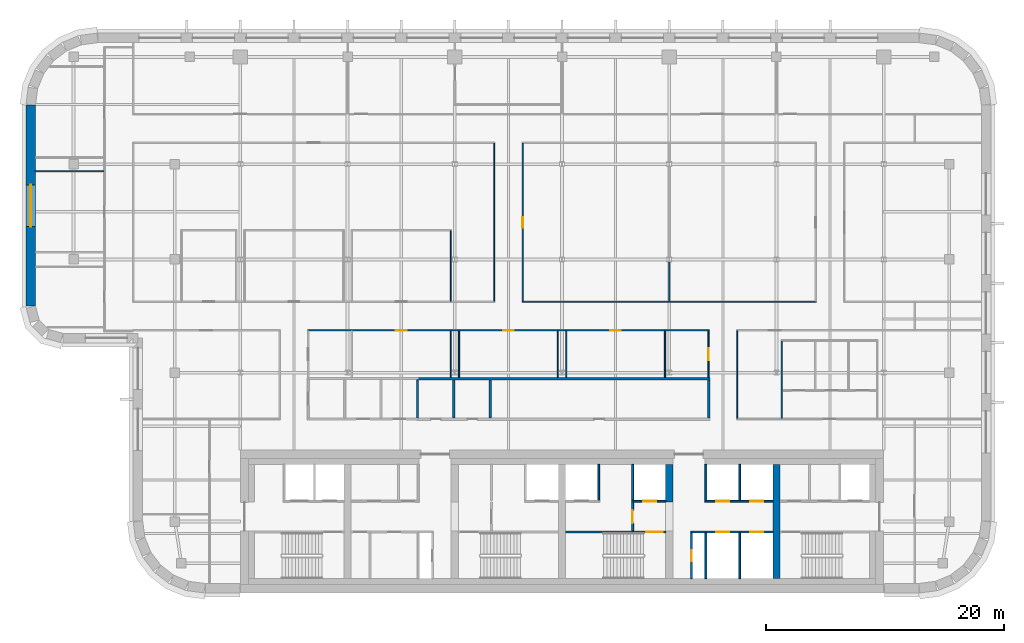
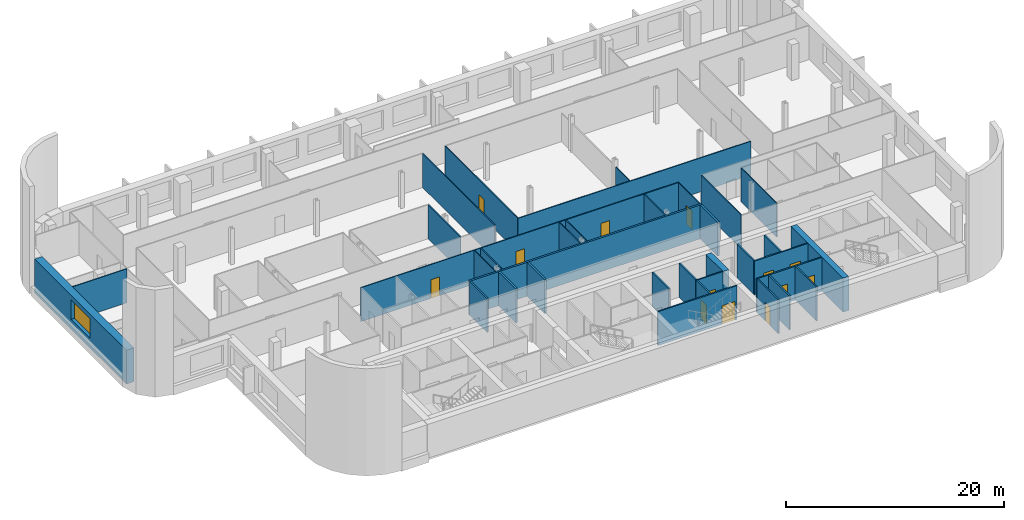
# One storey, part 9 of 17: 35 walls, 13 doors, 1 window, 14 openings.
"""IFC4 building model written with IfcOpenShell, lengths in metres."""

from ifc_helpers import new_model, si_unit, direction, frame, frame_2d, origin, place, context, subcontext, project, spatial, rectangle, extrude, material, layer, layer_set, type_object, element, fill, save


model = new_model("IFC4")

# Units and contexts
model_context = context("Model", 3, precision=1e-05, world=origin(), true_north=direction((0.0, 1.0)))
body_context = subcontext(model_context, "Body", "Model", "MODEL_VIEW")
ifc_project = project(units=[si_unit("LENGTHUNIT", "METRE"), si_unit("AREAUNIT", "SQUARE_METRE"), si_unit("VOLUMEUNIT", "CUBIC_METRE"), si_unit("PLANEANGLEUNIT", "RADIAN"), si_unit("MASSUNIT", "GRAM", prefix="KILO")], contexts=[model_context])

# Site, building, storey
site_placement = place(None, origin())
site = spatial("IfcSite", under=ifc_project, at=site_placement, CompositionType="ELEMENT")
building_placement = place(site_placement, origin())
building = spatial("IfcBuilding", under=site, at=building_placement, Name="Zellij Exchange Tower", CompositionType="ELEMENT")
storey_placement = place(building_placement, frame((0.0, 0.0, 232.5)))
storey = spatial("IfcBuildingStorey", under=building, at=storey_placement, Name="L54", CompositionType="ELEMENT", Elevation=232.5)

# Walls
ifc_material_1 = material(Name="Concrete C50/60", Category="concrete")
ifc_layer_1 = layer(ifc_material_1, 0.60009765625)
ifc_layer_set_1 = layer_set([ifc_layer_1], Name="Concrete C50/60")
wall_type_1 = type_object("IfcWallType", Name="CORE-CW 600 C50/60", PredefinedType="SHEAR", material=ifc_layer_set_1)
wall_1_placement = place(storey_placement, frame((9.0, -6.375, 0.0), z_axis=(0.0, 0.0, 1.0), x_axis=(0.0, 1.0, 0.0)))
element("IfcWall", 1, at=wall_1_placement, inside=storey, type_object=wall_type_1, Name="Core cross wall pier x 9 b L54", PredefinedType="SHEAR", context=body_context, shape_type="SweptSolid", body=[
    extrude(rectangle(XDim=3.175048828125, YDim=0.60009765625, at=frame_2d((1.58740234375, 0.0))), origin(), (0.0, 0.0, 1.0), 3.800048828125),
])
wall_2_placement = place(storey_placement, frame((18.0, -12.800048828125, 0.0), z_axis=(0.0, 0.0, 1.0), x_axis=(0.0, 1.0, 0.0)))
element("IfcWall", 2, at=wall_2_placement, inside=storey, type_object=wall_type_1, Name="Core cross wall x 18 L54", PredefinedType="SHEAR", context=body_context, shape_type="SweptSolid", body=[
    extrude(rectangle(XDim=9.60009765625, YDim=0.60009765625, at=frame_2d((4.800048828125, 0.0))), origin(), (0.0, 0.0, 1.0), 3.800048828125),
])

# Wall, opening, door
ifc_material_2 = material(Name="Gypsum shaft wall system")
ifc_layer_2 = layer(ifc_material_2, 0.14990234375)
ifc_layer_set_2 = layer_set([ifc_layer_2], Name="Gypsum shaft wall system")
wall_type_2 = type_object("IfcWallType", Name="CORE-PW 150 Firefighting lobby wall", PredefinedType="PARTITIONING", material=ifc_layer_set_2)
wall_3_placement = place(storey_placement, frame((5.925048828125, -8.800048828125, 0.0), z_axis=(0.0, 0.0, 1.0), x_axis=(0.0, 1.0, 0.0)))
wall_3 = element("IfcWall", 3, at=wall_3_placement, inside=storey, type_object=wall_type_2, Name="Firefighting lobby wall L54", PredefinedType="PARTITIONING", context=body_context, shape_type="SweptSolid", body=[
    extrude(rectangle(XDim=2.425048828125, YDim=0.14990234375, at=frame_2d((1.21240234375, 0.0))), origin(), (0.0, 0.0, 1.0), 3.800048828125),
])
opening_1_placement = place(wall_3_placement, frame((0.662109375, 0.0, 0.0)))
opening_1 = element("IfcOpeningElement", 4, at=opening_1_placement, cuts=wall_3, Name="Opening CA-29.15", PredefinedType="OPENING", context=body_context, shape_type="SweptSolid", body=[
    extrude(rectangle(XDim=1.10009765625, YDim=2.10009765625, at=frame_2d((0.550048828125, 1.050048828125))), frame((0.0, 0.0869140625, 0.0), z_axis=(0.0, -1.0, 0.0), x_axis=(1.0, 0.0, 0.0)), (0.0, 0.0, 1.0), 0.173828125),
])
ifc_material_3 = material(Name="Hollow metal fire door")
door_type_1 = type_object("IfcDoorType", Name="CORE-D F Firefighting lobby door 1100x2100 1 HR", OperationType="NOTDEFINED", PredefinedType="DOOR", material=ifc_material_3)
door_1_placement = place(opening_1_placement, origin())
door_1 = element("IfcDoor", 5, at=door_1_placement, inside=storey, type_object=door_type_1, Name="Firefighting lobby door CA-29.15", OperationType="SINGLE_SWING_RIGHT", OverallHeight=2.10009765625, OverallWidth=1.10009765625, PredefinedType="DOOR", context=body_context, shape_type="SweptSolid", body=[
    extrude(rectangle(XDim=1.10009765625, YDim=2.10009765625, at=frame_2d((0.550048828125, 1.050048828125))), frame((0.0, 0.02490234375, 0.0), z_axis=(0.0, -1.0, 0.0), x_axis=(1.0, 0.0, 0.0)), (0.0, 0.0, 1.0), 0.050048828125),
])
fill(opening_1, door_1)

ifc_material_4 = material(Name="Gypsum board partition")
ifc_layer_3 = layer(ifc_material_4, 0.14990234375)
ifc_layer_set_3 = layer_set([ifc_layer_3], Name="Gypsum board partition")
wall_type_3 = type_object("IfcWallType", Name="CORE-PW 150 Lift lobby wall", PredefinedType="PARTITIONING", material=ifc_layer_set_3)
wall_4_placement = place(storey_placement, frame((10.875, -12.800048828125, 0.0), z_axis=(0.0, 0.0, 1.0), x_axis=(0.0, 1.0, 0.0)))
wall_4 = element("IfcWall", 6, at=wall_4_placement, inside=storey, type_object=wall_type_3, Name="Lift lobby wall L54", PredefinedType="PARTITIONING", context=body_context, shape_type="SweptSolid", body=[
    extrude(rectangle(XDim=3.85009765625, YDim=0.14990234375, at=frame_2d((1.925048828125, 0.0))), origin(), (0.0, 0.0, 1.0), 3.800048828125),
])
opening_2_placement = place(wall_4_placement, frame((1.47509765625, 0.0, 0.0)))
opening_2 = element("IfcOpeningElement", 7, at=opening_2_placement, cuts=wall_4, Name="Opening CA-29.19", PredefinedType="OPENING", context=body_context, shape_type="SweptSolid", body=[
    extrude(rectangle(XDim=0.89990234375, YDim=2.10009765625, at=frame_2d((0.449951171875, 1.050048828125))), frame((0.0, 0.0869140625, 0.0), z_axis=(0.0, -1.0, 0.0), x_axis=(1.0, 0.0, 0.0)), (0.0, 0.0, 1.0), 0.173828125),
])
door_type_2 = type_object("IfcDoorType", Name="CORE-D RD Riser door 900x2100 1.5 HR", OperationType="NOTDEFINED", PredefinedType="DOOR", material=ifc_material_3)
door_2_placement = place(opening_2_placement, origin())
door_2 = element("IfcDoor", 8, at=door_2_placement, inside=storey, type_object=door_type_2, Name="Riser door CA-29.19", OperationType="SINGLE_SWING_LEFT", OverallHeight=2.10009765625, OverallWidth=0.89990234375, PredefinedType="DOOR", context=body_context, shape_type="SweptSolid", body=[
    extrude(rectangle(XDim=0.89990234375, YDim=2.10009765625, at=frame_2d((0.449951171875, 1.050048828125))), frame((0.0, 0.02490234375, 0.0), z_axis=(0.0, -1.0, 0.0), x_axis=(1.0, 0.0, 0.0)), (0.0, 0.0, 1.0), 0.050048828125),
])
fill(opening_2, door_2)

# Walls
ifc_layer_4 = layer(ifc_material_2, 0.14990234375)
ifc_layer_set_4 = layer_set([ifc_layer_4], Name="Gypsum shaft wall system")
wall_type_4 = type_object("IfcWallType", Name="CORE-PW 150 Lift shaft wall", PredefinedType="PARTITIONING", material=ifc_layer_set_4)
for number, where, z_axis, x_axis, name in (
    (9, (3.074951171875, -6.22509765625, 0.0), (0.0, 0.0, 1.0), (0.0, 1.0, 0.0), "Lift shaft wall L54"),
    (10, (5.925048828125, -6.22509765625, 0.0), (0.0, 0.0, 1.0), (0.0, 1.0, 0.0), "Lift shaft wall L54"),
    (11, (12.074951171875, -6.22509765625, 0.0), (0.0, 0.0, 1.0), (0.0, 1.0, 0.0), "Lift shaft wall L54"),
    (12, (14.925048828125, -6.22509765625, 0.0), (0.0, 0.0, 1.0), (0.0, 1.0, 0.0), "Lift shaft wall L54"),
):
    element("IfcWall", number, at=place(storey_placement, frame(where, z_axis=z_axis, x_axis=x_axis)), inside=storey, type_object=wall_type_4, Name=name, PredefinedType="PARTITIONING", context=body_context, shape_type="SweptSolid", body=[
        extrude(rectangle(XDim=3.025146484375, YDim=0.14990234375, at=frame_2d((1.5126953125, 0.0))), origin(), (0.0, 0.0, 1.0), 3.800048828125),
    ])
for number, where, z_axis, x_axis, name in (
    (13, (12.074951171875, -12.800048828125, 0.0), (0.0, 0.0, 1.0), (0.0, 1.0, 0.0), "Lift shaft wall L54"),
    (14, (14.925048828125, -12.800048828125, 0.0), (0.0, 0.0, 1.0), (0.0, 1.0, 0.0), "Lift shaft wall L54"),
):
    element("IfcWall", number, at=place(storey_placement, frame(where, z_axis=z_axis, x_axis=x_axis)), inside=storey, type_object=wall_type_4, Name=name, PredefinedType="PARTITIONING", context=body_context, shape_type="SweptSolid", body=[
        extrude(rectangle(XDim=3.85009765625, YDim=0.14990234375, at=frame_2d((1.925048828125, 0.0))), origin(), (0.0, 0.0, 1.0), 3.800048828125),
    ])

# Wall, opening, door
wall_5_placement = place(storey_placement, frame((5.85009765625, -6.300048828125, 0.0), z_axis=(0.0, 0.0, 1.0), x_axis=(1.0, 0.0, 0.0)))
wall_5 = element("IfcWall", 15, at=wall_5_placement, inside=storey, type_object=wall_type_4, Name="Lift shaft wall L54", PredefinedType="PARTITIONING", context=body_context, shape_type="SweptSolid", body=[
    extrude(rectangle(XDim=2.849853515625, YDim=0.14990234375, at=frame_2d((1.4248046875, 0.0))), origin(), (0.0, 0.0, 1.0), 3.800048828125),
])
opening_3_placement = place(wall_5_placement, frame((0.949951171875, 0.0, 0.0)))
opening_3 = element("IfcOpeningElement", 16, at=opening_3_placement, cuts=wall_5, Name="Opening CA-29.16", PredefinedType="OPENING", context=body_context, shape_type="SweptSolid", body=[
    extrude(rectangle(XDim=1.10009765625, YDim=2.10009765625, at=frame_2d((0.550048828125, 1.050048828125))), frame((0.0, 0.0869140625, 0.0), z_axis=(0.0, -1.0, 0.0), x_axis=(1.0, 0.0, 0.0)), (0.0, 0.0, 1.0), 0.173828125),
])
door_type_3 = type_object("IfcDoorType", Name="CORE-D LD Lift landing door 1100x2100 1.5 HR", OperationType="NOTDEFINED", PredefinedType="DOOR", material=ifc_material_3)
door_3_placement = place(opening_3_placement, origin())
door_3 = element("IfcDoor", 17, at=door_3_placement, inside=storey, type_object=door_type_3, Name="Lift landing door CA-29.16", OperationType="SLIDING_TO_RIGHT", OverallHeight=2.10009765625, OverallWidth=1.10009765625, PredefinedType="DOOR", context=body_context, shape_type="SweptSolid", body=[
    extrude(rectangle(XDim=1.10009765625, YDim=2.10009765625, at=frame_2d((0.550048828125, 1.050048828125))), frame((0.0, 0.02490234375, 0.0), z_axis=(0.0, -1.0, 0.0), x_axis=(1.0, 0.0, 0.0)), (0.0, 0.0, 1.0), 0.050048828125),
])
fill(opening_3, door_3)

# Wall, openings, doors
wall_6_placement = place(storey_placement, frame((12.0, -6.300048828125, 0.0), z_axis=(0.0, 0.0, 1.0), x_axis=(1.0, 0.0, 0.0)))
wall_6 = element("IfcWall", 18, at=wall_6_placement, inside=storey, type_object=wall_type_4, Name="Lift shaft wall L54", PredefinedType="PARTITIONING", context=body_context, shape_type="SweptSolid", body=[
    extrude(rectangle(XDim=5.699951171875, YDim=0.14990234375, at=frame_2d((2.85009765625, 0.0))), origin(), (0.0, 0.0, 1.0), 3.800048828125),
])
opening_4_placement = place(wall_6_placement, frame((0.949951171875, 0.0, 0.0)))
opening_4 = element("IfcOpeningElement", 19, at=opening_4_placement, cuts=wall_6, Name="Opening CA-29.21", PredefinedType="OPENING", context=body_context, shape_type="SweptSolid", body=[
    extrude(rectangle(XDim=1.10009765625, YDim=2.10009765625, at=frame_2d((0.550048828125, 1.050048828125))), frame((0.0, 0.0869140625, 0.0), z_axis=(0.0, -1.0, 0.0), x_axis=(1.0, 0.0, 0.0)), (0.0, 0.0, 1.0), 0.173828125),
])
opening_5_placement = place(wall_6_placement, frame((3.800048828125, 0.0, 0.0)))
opening_5 = element("IfcOpeningElement", 20, at=opening_5_placement, cuts=wall_6, Name="Opening CA-29.23", PredefinedType="OPENING", context=body_context, shape_type="SweptSolid", body=[
    extrude(rectangle(XDim=1.10009765625, YDim=2.10009765625, at=frame_2d((0.550048828125, 1.050048828125))), frame((0.0, 0.0869140625, 0.0), z_axis=(0.0, -1.0, 0.0), x_axis=(1.0, 0.0, 0.0)), (0.0, 0.0, 1.0), 0.173828125),
])
door_4_placement = place(opening_4_placement, origin())
door_4 = element("IfcDoor", 21, at=door_4_placement, inside=storey, type_object=door_type_3, Name="Lift landing door CA-29.21", OperationType="SLIDING_TO_LEFT", OverallHeight=2.10009765625, OverallWidth=1.10009765625, PredefinedType="DOOR", context=body_context, shape_type="SweptSolid", body=[
    extrude(rectangle(XDim=1.10009765625, YDim=2.10009765625, at=frame_2d((0.550048828125, 1.050048828125))), frame((0.0, 0.02490234375, 0.0), z_axis=(0.0, -1.0, 0.0), x_axis=(1.0, 0.0, 0.0)), (0.0, 0.0, 1.0), 0.050048828125),
])
fill(opening_4, door_4)
door_5_placement = place(opening_5_placement, origin())
door_5 = element("IfcDoor", 22, at=door_5_placement, inside=storey, type_object=door_type_3, Name="Lift landing door CA-29.23", OperationType="SLIDING_TO_LEFT", OverallHeight=2.10009765625, OverallWidth=1.10009765625, PredefinedType="DOOR", context=body_context, shape_type="SweptSolid", body=[
    extrude(rectangle(XDim=1.10009765625, YDim=2.10009765625, at=frame_2d((0.550048828125, 1.050048828125))), frame((0.0, 0.02490234375, 0.0), z_axis=(0.0, -1.0, 0.0), x_axis=(1.0, 0.0, 0.0)), (0.0, 0.0, 1.0), 0.050048828125),
])
fill(opening_5, door_5)

wall_7_placement = place(storey_placement, frame((10.800048828125, -8.875, 0.0), z_axis=(0.0, 0.0, 1.0), x_axis=(1.0, 0.0, 0.0)))
wall_7 = element("IfcWall", 23, at=wall_7_placement, inside=storey, type_object=wall_type_4, Name="Lift shaft wall L54", PredefinedType="PARTITIONING", context=body_context, shape_type="SweptSolid", body=[
    extrude(rectangle(XDim=6.89990234375, YDim=0.14990234375, at=frame_2d((3.449951171875, 0.0))), origin(), (0.0, 0.0, 1.0), 3.800048828125),
])
opening_6_placement = place(wall_7_placement, frame((2.14990234375, 0.0, 0.0)))
opening_6 = element("IfcOpeningElement", 24, at=opening_6_placement, cuts=wall_7, Name="Opening CA-29.20", PredefinedType="OPENING", context=body_context, shape_type="SweptSolid", body=[
    extrude(rectangle(XDim=1.10009765625, YDim=2.10009765625, at=frame_2d((0.550048828125, 1.050048828125))), frame((0.0, 0.0869140625, 0.0), z_axis=(0.0, -1.0, 0.0), x_axis=(1.0, 0.0, 0.0)), (0.0, 0.0, 1.0), 0.173828125),
])
opening_7_placement = place(wall_7_placement, frame((5.0, 0.0, 0.0)))
opening_7 = element("IfcOpeningElement", 25, at=opening_7_placement, cuts=wall_7, Name="Opening CA-29.22", PredefinedType="OPENING", context=body_context, shape_type="SweptSolid", body=[
    extrude(rectangle(XDim=1.10009765625, YDim=2.10009765625, at=frame_2d((0.550048828125, 1.050048828125))), frame((0.0, 0.0869140625, 0.0), z_axis=(0.0, -1.0, 0.0), x_axis=(1.0, 0.0, 0.0)), (0.0, 0.0, 1.0), 0.173828125),
])
door_6_placement = place(opening_6_placement, origin())
door_6 = element("IfcDoor", 26, at=door_6_placement, inside=storey, type_object=door_type_3, Name="Lift landing door CA-29.20", OperationType="SLIDING_TO_RIGHT", OverallHeight=2.10009765625, OverallWidth=1.10009765625, PredefinedType="DOOR", context=body_context, shape_type="SweptSolid", body=[
    extrude(rectangle(XDim=1.10009765625, YDim=2.10009765625, at=frame_2d((0.550048828125, 1.050048828125))), frame((0.0, 0.02490234375, 0.0), z_axis=(0.0, -1.0, 0.0), x_axis=(1.0, 0.0, 0.0)), (0.0, 0.0, 1.0), 0.050048828125),
])
fill(opening_6, door_6)
door_7_placement = place(opening_7_placement, origin())
door_7 = element("IfcDoor", 27, at=door_7_placement, inside=storey, type_object=door_type_3, Name="Lift landing door CA-29.22", OperationType="SLIDING_TO_RIGHT", OverallHeight=2.10009765625, OverallWidth=1.10009765625, PredefinedType="DOOR", context=body_context, shape_type="SweptSolid", body=[
    extrude(rectangle(XDim=1.10009765625, YDim=2.10009765625, at=frame_2d((0.550048828125, 1.050048828125))), frame((0.0, 0.02490234375, 0.0), z_axis=(0.0, -1.0, 0.0), x_axis=(1.0, 0.0, 0.0)), (0.0, 0.0, 1.0), 0.050048828125),
])
fill(opening_7, door_7)

# Wall, opening, door
ifc_layer_5 = layer(ifc_material_1, 0.14990234375)
ifc_layer_set_5 = layer_set([ifc_layer_5], Name="Concrete C50/60")
wall_type_5 = type_object("IfcWallType", Name="CORE-SWS 150 C50/60", PredefinedType="SHEAR", material=ifc_layer_set_5)
wall_8_placement = place(storey_placement, frame((0.300048828125, -8.875, 0.0), z_axis=(0.0, 0.0, 1.0), x_axis=(1.0, 0.0, 0.0)))
wall_8 = element("IfcWall", 28, at=wall_8_placement, inside=storey, type_object=wall_type_5, Name="Stair enclosure wall L54", PredefinedType="SHEAR", context=body_context, shape_type="SweptSolid", body=[
    extrude(rectangle(XDim=8.39990234375, YDim=0.14990234375, at=frame_2d((4.199951171875, 0.0))), origin(), (0.0, 0.0, 1.0), 3.800048828125),
])
opening_8_placement = place(wall_8_placement, frame((6.77490234375, 0.0, 0.0)))
opening_8 = element("IfcOpeningElement", 29, at=opening_8_placement, cuts=wall_8, Name="Opening CA-29.17", PredefinedType="OPENING", context=body_context, shape_type="SweptSolid", body=[
    extrude(rectangle(XDim=1.39990234375, YDim=2.10009765625, at=frame_2d((0.699951171875, 1.050048828125))), frame((0.0, 0.0869140625, 0.0), z_axis=(0.0, -1.0, 0.0), x_axis=(1.0, 0.0, 0.0)), (0.0, 0.0, 1.0), 0.173828125),
])
door_type_4 = type_object("IfcDoorType", Name="CORE-D SD Stair door 1400x2100 1.5 HR", OperationType="NOTDEFINED", PredefinedType="DOOR", material=ifc_material_3)
door_8_placement = place(opening_8_placement, origin())
door_8 = element("IfcDoor", 30, at=door_8_placement, inside=storey, type_object=door_type_4, Name="Stair door CA-29.17", OperationType="DOUBLE_DOOR_SINGLE_SWING", OverallHeight=2.10009765625, OverallWidth=1.39990234375, PredefinedType="DOOR", context=body_context, shape_type="SweptSolid", body=[
    extrude(rectangle(XDim=1.39990234375, YDim=2.10009765625, at=frame_2d((0.699951171875, 1.050048828125))), frame((0.0, 0.02490234375, 0.0), z_axis=(0.0, -1.0, 0.0), x_axis=(1.0, 0.0, 0.0)), (0.0, 0.0, 1.0), 0.050048828125),
])
fill(opening_8, door_8)

# Wall, opening, window
ifc_material_5 = material(Name="Precast concrete C40/50", Category="concrete")
ifc_layer_6 = layer(ifc_material_5, 0.800048828125)
ifc_layer_set_6 = layer_set([ifc_layer_6], Name="Precast concrete C40/50")
wall_type_6 = type_object("IfcWallType", Name="ENV-EW1 Precast stone-piered wall 800", PredefinedType="SOLIDWALL", material=ifc_layer_set_6)
wall_9_placement = place(storey_placement, frame((-44.60009765625, 26.947509765625, 0.0), z_axis=(0.0, 0.0, 1.0), x_axis=(0.0, -1.0, 0.0)))
wall_9 = element("IfcWall", 31, at=wall_9_placement, inside=storey, type_object=wall_type_6, Name="fac.L54.21", PredefinedType="SOLIDWALL", context=body_context, shape_type="SweptSolid", body=[
    extrude(rectangle(XDim=16.842041015625, YDim=0.800048828125, at=frame_2d((8.4208984375, 0.0))), origin(), (0.0, 0.0, 1.0), 3.800048828125),
])
opening_9_placement = place(wall_9_placement, frame((6.684326171875, 0.0, 1.10009765625)))
opening_9 = element("IfcOpeningElement", 32, at=opening_9_placement, cuts=wall_9, Name="Opening FZ4.20", PredefinedType="OPENING", context=body_context, shape_type="SweptSolid", body=[
    extrude(rectangle(XDim=3.5, YDim=2.199951171875, at=frame_2d((1.75, 1.10009765625))), frame((0.0, 0.412109375, 0.0), z_axis=(0.0, -1.0, 0.0), x_axis=(1.0, 0.0, 0.0)), (0.0, 0.0, 1.0), 0.823974609375),
])
ifc_material_6 = material(Name="Aluminium frame with insulating glass", Category="aluminium")
window_type = type_object("IfcWindowType", Name="ENV-W7 Window 3500x2200", PartitioningType="SINGLE_PANEL", PredefinedType="WINDOW", material=ifc_material_6)
window_placement = place(opening_9_placement, origin())
window = element("IfcWindow", 33, at=window_placement, inside=storey, type_object=window_type, Name="Window FZ4.20", OverallHeight=2.199951171875, OverallWidth=3.5, PartitioningType="SINGLE_PANEL", PredefinedType="WINDOW", context=body_context, shape_type="SweptSolid", body=[
    extrude(rectangle(XDim=3.5, YDim=2.199951171875, at=frame_2d((1.75, 1.10009765625))), frame((0.0, 0.030029296875, 0.0), z_axis=(0.0, -1.0, 0.0), x_axis=(1.0, 0.0, 0.0)), (0.0, 0.0, 1.0), 0.06005859375),
])
fill(opening_9, window)

# Walls
ifc_material_7 = material(Name="Blockwork partition", Category="masonry")
ifc_layer_7 = layer(ifc_material_7, 0.199951171875)
ifc_layer_set_7 = layer_set([ifc_layer_7], Name="Blockwork partition")
wall_type_7 = type_object("IfcWallType", Name="FIT-BLOCKWORK-200", PredefinedType="PARTITIONING", material=ifc_layer_set_7)
for number, where, z_axis, x_axis, name in (
    (34, (-9.080078125, 0.699951171875, 0.0), (0.0, 0.0, 1.0), (0.0, 1.0, 0.0), "FIT-BLOCKWORK-200 012"),
    (35, (-6.030029296875, 0.699951171875, 0.0), (0.0, 0.0, 1.0), (0.0, 1.0, 0.0), "FIT-BLOCKWORK-200 013"),
    (36, (12.300048828125, 0.699951171875, 0.0), (0.0, 0.0, 1.0), (0.0, 1.0, 0.0), "FIT-BLOCKWORK-200 014"),
):
    element("IfcWall", number, at=place(storey_placement, frame(where, z_axis=z_axis, x_axis=x_axis)), inside=storey, type_object=wall_type_7, Name=name, PredefinedType="PARTITIONING", context=body_context, shape_type="SweptSolid", body=[
        extrude(rectangle(XDim=3.199951171875, YDim=0.199951171875, at=frame_2d((1.60009765625, 0.0))), origin(), (0.0, 0.0, 1.0), 3.800048828125),
    ])
wall_10_placement = place(storey_placement, frame((-12.215087890625, 4.0, 0.0), z_axis=(0.0, 0.0, 1.0), x_axis=(1.0, 0.0, 0.0)))
element("IfcWall", 37, at=wall_10_placement, inside=storey, type_object=wall_type_7, Name="FIT-BLOCKWORK-200 025", PredefinedType="PARTITIONING", context=body_context, shape_type="SweptSolid", body=[
    extrude(rectangle(XDim=24.614990234375, YDim=0.199951171875, at=frame_2d((12.3076171875, 0.0))), origin(), (0.0, 0.0, 1.0), 3.800048828125),
])
ifc_material_8 = material(Name="Gypsum board partition on steel studs", Category="steel")
ifc_layer_8 = layer(ifc_material_8, 0.10009765625)
ifc_layer_set_8 = layer_set([ifc_layer_8], Name="Gypsum board partition on steel studs")
wall_type_8 = type_object("IfcWallType", Name="FIT-PARTITION-100", PredefinedType="PARTITIONING", material=ifc_layer_set_8)
wall_11_placement = place(storey_placement, frame((14.699951171875, 0.64990234375, 0.0), z_axis=(0.0, 0.0, 1.0), x_axis=(0.0, 1.0, 0.0)))
element("IfcWall", 38, at=wall_11_placement, inside=storey, type_object=wall_type_8, Name="FIT-PARTITION-100 016", PredefinedType="PARTITIONING", context=body_context, shape_type="SweptSolid", body=[
    extrude(rectangle(XDim=7.35009765625, YDim=0.10009765625, at=frame_2d((3.675048828125, 0.0))), origin(), (0.0, 0.0, 1.0), 3.800048828125),
])
wall_12_placement = place(storey_placement, frame((18.449951171875, 0.64990234375, 0.0), z_axis=(0.0, 0.0, 1.0), x_axis=(0.0, 1.0, 0.0)))
element("IfcWall", 39, at=wall_12_placement, inside=storey, type_object=wall_type_8, Name="FIT-PARTITION-100 017", PredefinedType="PARTITIONING", context=body_context, shape_type="SweptSolid", body=[
    extrude(rectangle(XDim=6.5, YDim=0.10009765625, at=frame_2d((3.25, 0.0))), origin(), (0.0, 0.0, 1.0), 3.800048828125),
])
for number, where, z_axis, x_axis, name in (
    (40, (-9.35009765625, 4.10009765625, 0.0), (0.0, 0.0, 1.0), (0.0, 1.0, 0.0), "FIT-PARTITION-100 026"),
    (41, (-8.64990234375, 4.10009765625, 0.0), (0.0, 0.0, 1.0), (0.0, 1.0, 0.0), "FIT-PARTITION-100 027"),
    (42, (-0.35009765625, 4.10009765625, 0.0), (0.0, 0.0, 1.0), (0.0, 1.0, 0.0), "FIT-PARTITION-100 028"),
    (43, (0.35009765625, 4.10009765625, 0.0), (0.0, 0.0, 1.0), (0.0, 1.0, 0.0), "FIT-PARTITION-100 029"),
    (44, (8.64990234375, 4.10009765625, 0.0), (0.0, 0.0, 1.0), (0.0, 1.0, 0.0), "FIT-PARTITION-100 030"),
):
    element("IfcWall", number, at=place(storey_placement, frame(where, z_axis=z_axis, x_axis=x_axis)), inside=storey, type_object=wall_type_8, Name=name, PredefinedType="PARTITIONING", context=body_context, shape_type="SweptSolid", body=[
        extrude(rectangle(XDim=3.89990234375, YDim=0.10009765625, at=frame_2d((1.949951171875, 0.0))), origin(), (0.0, 0.0, 1.0), 3.800048828125),
    ])

# Wall, opening, door
wall_13_placement = place(storey_placement, frame((12.300048828125, 4.10009765625, 0.0), z_axis=(0.0, 0.0, 1.0), x_axis=(0.0, 1.0, 0.0)))
wall_13 = element("IfcWall", 45, at=wall_13_placement, inside=storey, type_object=wall_type_8, Name="FIT-PARTITION-100 031", PredefinedType="PARTITIONING", context=body_context, shape_type="SweptSolid", body=[
    extrude(rectangle(XDim=3.89990234375, YDim=0.10009765625, at=frame_2d((1.949951171875, 0.0))), origin(), (0.0, 0.0, 1.0), 3.800048828125),
])
opening_10_placement = place(wall_13_placement, frame((1.449951171875, 0.0, 0.0)))
opening_10 = element("IfcOpeningElement", 46, at=opening_10_placement, cuts=wall_13, Name="Opening O4B.14", PredefinedType="OPENING", context=body_context, shape_type="SweptSolid", body=[
    extrude(rectangle(XDim=1.0, YDim=2.10009765625, at=frame_2d((0.5, 1.050048828125))), frame((0.0, 0.06201171875, 0.0), z_axis=(0.0, -1.0, 0.0), x_axis=(1.0, 0.0, 0.0)), (0.0, 0.0, 1.0), 0.1240234375),
])
ifc_material_9 = material(Name="Timber door set", Category="wood")
door_type_5 = type_object("IfcDoorType", Name="FIT-D2-WIDE-1000X2100", OperationType="SINGLE_SWING_LEFT", PredefinedType="DOOR", material=ifc_material_9)
door_9_placement = place(opening_10_placement, origin())
door_9 = element("IfcDoor", 47, at=door_9_placement, inside=storey, type_object=door_type_5, Name="Door O4B.14", OperationType="SINGLE_SWING_LEFT", OverallHeight=2.10009765625, OverallWidth=1.0, PredefinedType="DOOR", context=body_context, shape_type="SweptSolid", body=[
    extrude(rectangle(XDim=1.0, YDim=2.10009765625, at=frame_2d((0.5, 1.050048828125))), frame((0.0, 0.02490234375, 0.0), z_axis=(0.0, -1.0, 0.0), x_axis=(1.0, 0.0, 0.0)), (0.0, 0.0, 1.0), 0.050048828125),
])
fill(opening_10, door_9)

# Wall, openings, doors
wall_14_placement = place(storey_placement, frame((-21.35009765625, 8.050048828125, 0.0), z_axis=(0.0, 0.0, 1.0), x_axis=(1.0, 0.0, 0.0)))
wall_14 = element("IfcWall", 48, at=wall_14_placement, inside=storey, type_object=wall_type_8, Name="FIT-PARTITION-100 036", PredefinedType="PARTITIONING", context=body_context, shape_type="SweptSolid", body=[
    extrude(rectangle(XDim=33.7001953125, YDim=0.10009765625, at=frame_2d((16.85009765625, 0.0))), origin(), (0.0, 0.0, 1.0), 3.800048828125),
])
opening_11_placement = place(wall_14_placement, frame((7.39990234375, 0.0, 0.0)))
opening_11 = element("IfcOpeningElement", 49, at=opening_11_placement, cuts=wall_14, Name="Opening O4B.16", PredefinedType="OPENING", context=body_context, shape_type="SweptSolid", body=[
    extrude(rectangle(XDim=0.89990234375, YDim=2.10009765625, at=frame_2d((0.449951171875, 1.050048828125))), frame((0.0, 0.06201171875, 0.0), z_axis=(0.0, -1.0, 0.0), x_axis=(1.0, 0.0, 0.0)), (0.0, 0.0, 1.0), 0.1240234375),
])
opening_12_placement = place(wall_14_placement, frame((16.39990234375, 0.0, 0.0)))
opening_12 = element("IfcOpeningElement", 50, at=opening_12_placement, cuts=wall_14, Name="Opening O4B.17", PredefinedType="OPENING", context=body_context, shape_type="SweptSolid", body=[
    extrude(rectangle(XDim=0.89990234375, YDim=2.10009765625, at=frame_2d((0.449951171875, 1.050048828125))), frame((0.0, 0.06201171875, 0.0), z_axis=(0.0, -1.0, 0.0), x_axis=(1.0, 0.0, 0.0)), (0.0, 0.0, 1.0), 0.1240234375),
])
opening_13_placement = place(wall_14_placement, frame((25.39990234375, 0.0, 0.0)))
opening_13 = element("IfcOpeningElement", 51, at=opening_13_placement, cuts=wall_14, Name="Opening O4B.18", PredefinedType="OPENING", context=body_context, shape_type="SweptSolid", body=[
    extrude(rectangle(XDim=0.89990234375, YDim=2.10009765625, at=frame_2d((0.449951171875, 1.050048828125))), frame((0.0, 0.06201171875, 0.0), z_axis=(0.0, -1.0, 0.0), x_axis=(1.0, 0.0, 0.0)), (0.0, 0.0, 1.0), 0.1240234375),
])
door_type_6 = type_object("IfcDoorType", Name="FIT-D1-ROOM-900X2100", OperationType="SINGLE_SWING_LEFT", PredefinedType="DOOR", material=ifc_material_9)
door_10_placement = place(opening_11_placement, origin())
door_10 = element("IfcDoor", 52, at=door_10_placement, inside=storey, type_object=door_type_6, Name="Door O4B.16", OperationType="SINGLE_SWING_LEFT", OverallHeight=2.10009765625, OverallWidth=0.89990234375, PredefinedType="DOOR", context=body_context, shape_type="SweptSolid", body=[
    extrude(rectangle(XDim=0.89990234375, YDim=2.10009765625, at=frame_2d((0.449951171875, 1.050048828125))), frame((0.0, 0.02490234375, 0.0), z_axis=(0.0, -1.0, 0.0), x_axis=(1.0, 0.0, 0.0)), (0.0, 0.0, 1.0), 0.050048828125),
])
fill(opening_11, door_10)
door_11_placement = place(opening_12_placement, origin())
door_11 = element("IfcDoor", 53, at=door_11_placement, inside=storey, type_object=door_type_6, Name="Door O4B.17", OperationType="SINGLE_SWING_LEFT", OverallHeight=2.10009765625, OverallWidth=0.89990234375, PredefinedType="DOOR", context=body_context, shape_type="SweptSolid", body=[
    extrude(rectangle(XDim=0.89990234375, YDim=2.10009765625, at=frame_2d((0.449951171875, 1.050048828125))), frame((0.0, 0.02490234375, 0.0), z_axis=(0.0, -1.0, 0.0), x_axis=(1.0, 0.0, 0.0)), (0.0, 0.0, 1.0), 0.050048828125),
])
fill(opening_12, door_11)
door_12_placement = place(opening_13_placement, origin())
door_12 = element("IfcDoor", 54, at=door_12_placement, inside=storey, type_object=door_type_6, Name="Door O4B.18", OperationType="SINGLE_SWING_LEFT", OverallHeight=2.10009765625, OverallWidth=0.89990234375, PredefinedType="DOOR", context=body_context, shape_type="SweptSolid", body=[
    extrude(rectangle(XDim=0.89990234375, YDim=2.10009765625, at=frame_2d((0.449951171875, 1.050048828125))), frame((0.0, 0.02490234375, 0.0), z_axis=(0.0, -1.0, 0.0), x_axis=(1.0, 0.0, 0.0)), (0.0, 0.0, 1.0), 0.050048828125),
])
fill(opening_13, door_12)

# Walls
wall_15_placement = place(storey_placement, frame((-9.35009765625, 10.5, 0.0), z_axis=(0.0, 0.0, 1.0), x_axis=(0.0, 1.0, 0.0)))
element("IfcWall", 55, at=wall_15_placement, inside=storey, type_object=wall_type_8, Name="FIT-PARTITION-100 047", PredefinedType="PARTITIONING", context=body_context, shape_type="SweptSolid", body=[
    extrude(rectangle(XDim=5.89990234375, YDim=0.10009765625, at=frame_2d((2.949951171875, 0.0))), origin(), (0.0, 0.0, 1.0), 3.800048828125),
])
wall_16_placement = place(storey_placement, frame((-5.699951171875, 10.5, 0.0), z_axis=(0.0, 0.0, 1.0), x_axis=(0.0, 1.0, 0.0)))
element("IfcWall", 56, at=wall_16_placement, inside=storey, type_object=wall_type_8, Name="FIT-PARTITION-100 048", PredefinedType="PARTITIONING", context=body_context, shape_type="SweptSolid", body=[
    extrude(rectangle(XDim=13.25, YDim=0.10009765625, at=frame_2d((6.625, 0.0))), origin(), (0.0, 0.0, 1.0), 3.800048828125),
])
wall_17_placement = place(storey_placement, frame((-3.35009765625, 10.449951171875, 0.0), z_axis=(0.0, 0.0, 1.0), x_axis=(1.0, 0.0, 0.0)))
element("IfcWall", 57, at=wall_17_placement, inside=storey, type_object=wall_type_8, Name="FIT-PARTITION-100 049", PredefinedType="PARTITIONING", context=body_context, shape_type="SweptSolid", body=[
    extrude(rectangle(XDim=24.7001953125, YDim=0.10009765625, at=frame_2d((12.35009765625, 0.0))), origin(), (0.0, 0.0, 1.0), 3.800048828125),
])

# Wall, opening, door
wall_18_placement = place(storey_placement, frame((-3.300048828125, 10.5, 0.0), z_axis=(0.0, 0.0, 1.0), x_axis=(0.0, 1.0, 0.0)))
wall_18 = element("IfcWall", 58, at=wall_18_placement, inside=storey, type_object=wall_type_8, Name="FIT-PARTITION-100 050", PredefinedType="PARTITIONING", context=body_context, shape_type="SweptSolid", body=[
    extrude(rectangle(XDim=13.25, YDim=0.10009765625, at=frame_2d((6.625, 0.0))), origin(), (0.0, 0.0, 1.0), 3.800048828125),
])
opening_14_placement = place(wall_18_placement, frame((6.14990234375, 0.0, 0.0)))
opening_14 = element("IfcOpeningElement", 59, at=opening_14_placement, cuts=wall_18, Name="Opening O4B.24", PredefinedType="OPENING", context=body_context, shape_type="SweptSolid", body=[
    extrude(rectangle(XDim=0.89990234375, YDim=2.10009765625, at=frame_2d((0.449951171875, 1.050048828125))), frame((0.0, 0.06201171875, 0.0), z_axis=(0.0, -1.0, 0.0), x_axis=(1.0, 0.0, 0.0)), (0.0, 0.0, 1.0), 0.1240234375),
])
door_13_placement = place(opening_14_placement, origin())
door_13 = element("IfcDoor", 60, at=door_13_placement, inside=storey, type_object=door_type_6, Name="Door O4B.24", OperationType="SINGLE_SWING_LEFT", OverallHeight=2.10009765625, OverallWidth=0.89990234375, PredefinedType="DOOR", context=body_context, shape_type="SweptSolid", body=[
    extrude(rectangle(XDim=0.89990234375, YDim=2.10009765625, at=frame_2d((0.449951171875, 1.050048828125))), frame((0.0, 0.02490234375, 0.0), z_axis=(0.0, -1.0, 0.0), x_axis=(1.0, 0.0, 0.0)), (0.0, 0.0, 1.0), 0.050048828125),
])
fill(opening_14, door_13)

# Walls
wall_19_placement = place(storey_placement, frame((9.0, 10.5, 0.0), z_axis=(0.0, 0.0, 1.0), x_axis=(0.0, 1.0, 0.0)))
element("IfcWall", 61, at=wall_19_placement, inside=storey, type_object=wall_type_8, Name="FIT-PARTITION-100 051", PredefinedType="PARTITIONING", context=body_context, shape_type="SweptSolid", body=[
    extrude(rectangle(XDim=3.306884765625, YDim=0.10009765625, at=frame_2d((1.6533203125, 0.0))), origin(), (0.0, 0.0, 1.0), 3.19287109375),
])
wall_20_placement = place(storey_placement, frame((-44.199951171875, 21.39990234375, 0.0), z_axis=(0.0, 0.0, 1.0), x_axis=(1.0, 0.0, 0.0)))
element("IfcWall", 62, at=wall_20_placement, inside=storey, type_object=wall_type_8, Name="FIT-PARTITION-100 062", PredefinedType="PARTITIONING", context=body_context, shape_type="SweptSolid", body=[
    extrude(rectangle(XDim=5.75, YDim=0.10009765625, at=frame_2d((2.875, 0.0))), origin(), (0.0, 0.0, 1.0), 3.800048828125),
])
ifc_material_10 = material(Name="Gypsum board shaft-wall partition", Category="gypsum")
ifc_layer_9 = layer(ifc_material_10, 0.14990234375)
ifc_layer_set_9 = layer_set([ifc_layer_9], Name="Gypsum board shaft-wall partition")
wall_type_9 = type_object("IfcWallType", Name="FIT-PARTITION-150-EI60", PredefinedType="PARTITIONING", material=ifc_layer_set_9)
wall_21_placement = place(storey_placement, frame((-12.139892578125, 0.699951171875, 0.0), z_axis=(0.0, 0.0, 1.0), x_axis=(0.0, 1.0, 0.0)))
element("IfcWall", 63, at=wall_21_placement, inside=storey, type_object=wall_type_9, Name="FIT-PARTITION-150-EI60 011", PredefinedType="PARTITIONING", context=body_context, shape_type="SweptSolid", body=[
    extrude(rectangle(XDim=3.199951171875, YDim=0.14990234375, at=frame_2d((1.60009765625, 0.0))), origin(), (0.0, 0.0, 1.0), 3.800048828125),
])

save(model, "model.ifc")
